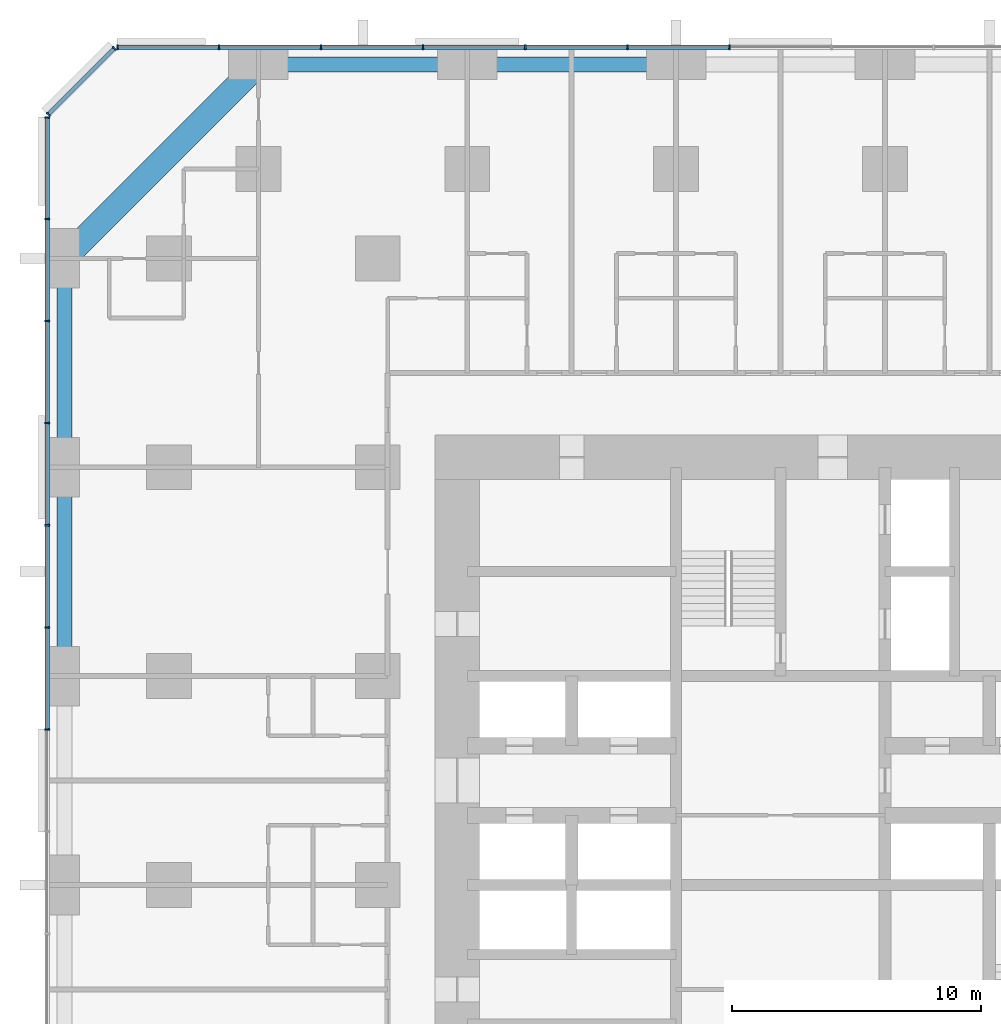
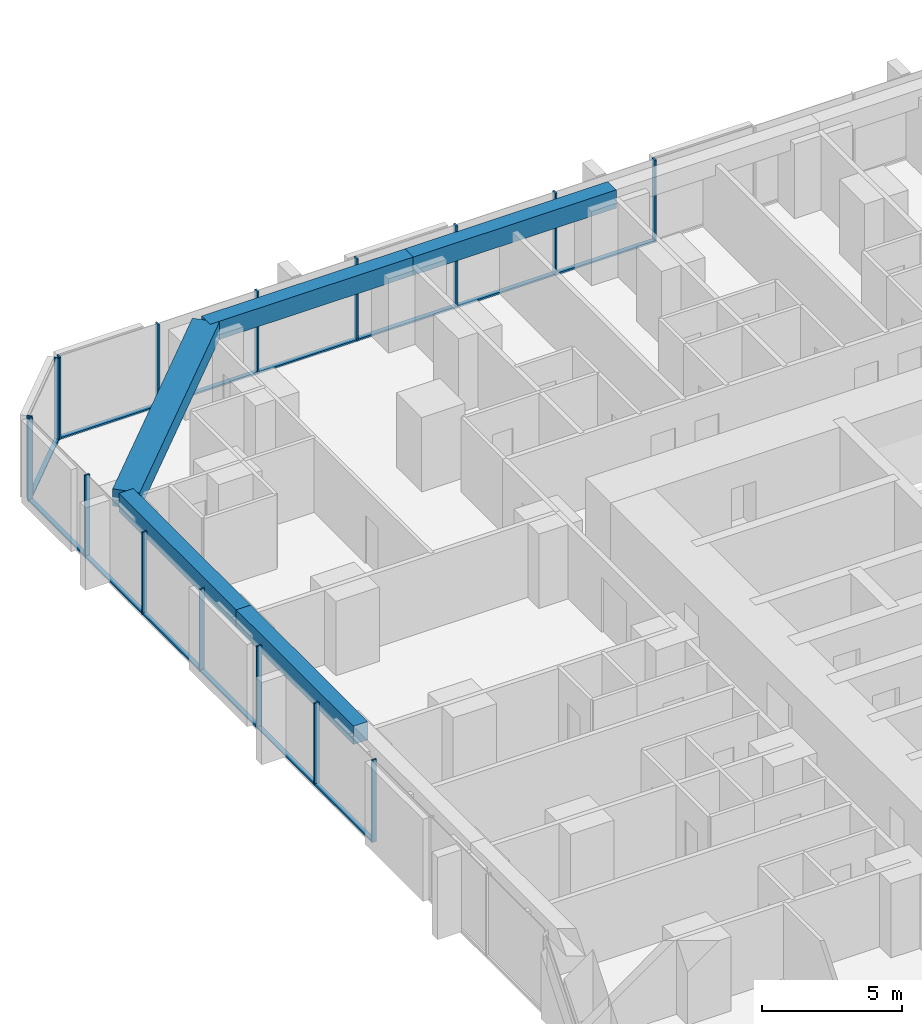
# One storey, part 6 of 18: 29 members, 5 beams, 3 elements without a shape of their own.
"""IFC4 building model written with IfcOpenShell, lengths in metres."""

from ifc_helpers import new_model, si_unit, direction, frame, origin, origin_2d, place, context, subcontext, project, spatial, rectangle, extrude, material, material_profile, profile_set, type_object, element, aggregate, save


model = new_model("IFC4")

# Units and contexts
model_context = context("Model", 3, precision=1e-05, world=origin(), true_north=direction((0.0, 1.0)))
body_context = subcontext(model_context, "Body", "Model", "MODEL_VIEW")
ifc_project = project(units=[si_unit("LENGTHUNIT", "METRE"), si_unit("AREAUNIT", "SQUARE_METRE"), si_unit("VOLUMEUNIT", "CUBIC_METRE"), si_unit("PLANEANGLEUNIT", "RADIAN"), si_unit("MASSUNIT", "GRAM", prefix="KILO")], contexts=[model_context])

# Site, building, storey
site_placement = place(None, origin())
site = spatial("IfcSite", under=ifc_project, at=site_placement, CompositionType="ELEMENT")
building_placement = place(site_placement, origin())
building = spatial("IfcBuilding", under=site, at=building_placement, Name="Dunama Terrace Hotel", CompositionType="ELEMENT")
storey_placement = place(building_placement, frame((0.0, 0.0, 30.60009765625)))
storey = spatial("IfcBuildingStorey", under=building, at=storey_placement, Name="L06", CompositionType="ELEMENT", Elevation=30.60009765625)

# Curtain wall, members
ifc_material_1 = material(Name="Aluminium curtain wall system", Category="aluminium")
curtain_wall_type = type_object("IfcCurtainWallType", Name="Unitised fritted glass wall CW-A", PredefinedType="NOTDEFINED", material=ifc_material_1)
curtain_wall_1_placement = place(storey_placement, origin())
curtain_wall_1 = element("IfcCurtainWall", 1, at=curtain_wall_1_placement, inside=storey, type_object=curtain_wall_type, Name="Unitised fritted glass wall CW-A L06", PredefinedType="NOTDEFINED")
ifc_material_2 = material(Name="Aluminium mullion", Category="aluminium")
ifc_material_profile_1 = material_profile(ifc_material_2, rectangle(XDim=0.06494140625, YDim=0.199951171875, at=origin_2d()), Name="CWA MULLION 65X200")
ifc_profile_set_1 = profile_set([ifc_material_profile_1], Name="Aluminium mullion")
member_type_1 = type_object("IfcMemberType", Name="CWA mullion 65x200", PredefinedType="MULLION", material=ifc_profile_set_1)
member_1_placement = place(storey_placement, frame((27.345947265625, 58.89990234375, 0.0), z_axis=(0.0, 0.0, 1.0), x_axis=(-1.0, 0.0, 0.0)))
member_1 = element("IfcMember", 2, at=member_1_placement, type_object=member_type_1, Name="CWA mullion", PredefinedType="MULLION", context=body_context, shape_type="SweptSolid", body=[
    extrude(rectangle(XDim=0.06494140625, YDim=0.199951171875, at=origin_2d()), origin(), (0.0, 0.0, 1.0), 3.599853515625),
])
member_2_placement = place(storey_placement, frame((23.238037109375, 58.89990234375, 0.0), z_axis=(0.0, 0.0, 1.0), x_axis=(-1.0, 0.0, 0.0)))
member_2 = element("IfcMember", 3, at=member_2_placement, type_object=member_type_1, Name="CWA mullion", PredefinedType="MULLION", context=body_context, shape_type="SweptSolid", body=[
    extrude(rectangle(XDim=0.06494140625, YDim=0.199951171875, at=origin_2d()), origin(), (0.0, 0.0, 1.0), 3.599853515625),
])
member_3_placement = place(storey_placement, frame((19.131103515625, 58.89990234375, 0.0), z_axis=(0.0, 0.0, 1.0), x_axis=(-1.0, 0.0, 0.0)))
member_3 = element("IfcMember", 4, at=member_3_placement, type_object=member_type_1, Name="CWA mullion", PredefinedType="MULLION", context=body_context, shape_type="SweptSolid", body=[
    extrude(rectangle(XDim=0.06494140625, YDim=0.199951171875, at=origin_2d()), origin(), (0.0, 0.0, 1.0), 3.599853515625),
])
member_4_placement = place(storey_placement, frame((15.02294921875, 58.89990234375, 0.0), z_axis=(0.0, 0.0, 1.0), x_axis=(-1.0, 0.0, 0.0)))
member_4 = element("IfcMember", 5, at=member_4_placement, type_object=member_type_1, Name="CWA mullion", PredefinedType="MULLION", context=body_context, shape_type="SweptSolid", body=[
    extrude(rectangle(XDim=0.06494140625, YDim=0.199951171875, at=origin_2d()), origin(), (0.0, 0.0, 1.0), 3.599853515625),
])
member_5_placement = place(storey_placement, frame((10.9150390625, 58.89990234375, 0.0), z_axis=(0.0, 0.0, 1.0), x_axis=(-1.0, 0.0, 0.0)))
member_5 = element("IfcMember", 6, at=member_5_placement, type_object=member_type_1, Name="CWA mullion", PredefinedType="MULLION", context=body_context, shape_type="SweptSolid", body=[
    extrude(rectangle(XDim=0.06494140625, YDim=0.199951171875, at=origin_2d()), origin(), (0.0, 0.0, 1.0), 3.599853515625),
])
member_6_placement = place(storey_placement, frame((6.80810546875, 58.89990234375, 0.0), z_axis=(0.0, 0.0, 1.0), x_axis=(-1.0, 0.0, 0.0)))
member_6 = element("IfcMember", 7, at=member_6_placement, type_object=member_type_1, Name="CWA mullion", PredefinedType="MULLION", context=body_context, shape_type="SweptSolid", body=[
    extrude(rectangle(XDim=0.06494140625, YDim=0.199951171875, at=origin_2d()), origin(), (0.0, 0.0, 1.0), 3.599853515625),
])
member_7_placement = place(storey_placement, frame((2.73291015625, 58.89990234375, 0.0), z_axis=(0.0, 0.0, 1.0), x_axis=(-1.0, 0.0, 0.0)))
member_7 = element("IfcMember", 8, at=member_7_placement, type_object=member_type_1, Name="CWA mullion", PredefinedType="MULLION", context=body_context, shape_type="SweptSolid", body=[
    extrude(rectangle(XDim=0.06494140625, YDim=0.199951171875, at=origin_2d()), origin(), (0.0, 0.0, 1.0), 3.599853515625),
])

curtain_wall_2_placement = place(storey_placement, origin())
curtain_wall_2 = element("IfcCurtainWall", 9, at=curtain_wall_2_placement, inside=storey, type_object=curtain_wall_type, Name="Unitised fritted glass wall CW-A L06", PredefinedType="NOTDEFINED")
member_8_placement = place(storey_placement, frame((2.60595703125, 58.847900390625, 0.0), z_axis=(0.0, 0.0, 1.0), x_axis=(-0.707106781187, -0.707106781187, 0.0)))
member_8 = element("IfcMember", 10, at=member_8_placement, type_object=member_type_1, Name="CWA mullion", PredefinedType="MULLION", context=body_context, shape_type="SweptSolid", body=[
    extrude(rectangle(XDim=0.06494140625, YDim=0.199951171875, at=origin_2d()), origin(), (0.0, 0.0, 1.0), 3.599853515625),
])
member_9_placement = place(storey_placement, frame((-0.048095703125, 56.194091796875, 0.0), z_axis=(0.0, 0.0, 1.0), x_axis=(-0.707106781187, -0.707106781187, 0.0)))
member_9 = element("IfcMember", 11, at=member_9_placement, type_object=member_type_1, Name="CWA mullion", PredefinedType="MULLION", context=body_context, shape_type="SweptSolid", body=[
    extrude(rectangle(XDim=0.06494140625, YDim=0.199951171875, at=origin_2d()), origin(), (0.0, 0.0, 1.0), 3.599853515625),
])

curtain_wall_3_placement = place(storey_placement, origin())
curtain_wall_3 = element("IfcCurtainWall", 12, at=curtain_wall_3_placement, inside=storey, type_object=curtain_wall_type, Name="Unitised fritted glass wall CW-A L06", PredefinedType="NOTDEFINED")
member_10_placement = place(storey_placement, frame((-0.10009765625, 56.06689453125, 0.0), z_axis=(0.0, 0.0, 1.0), x_axis=(0.0, -1.0, 0.0)))
member_10 = element("IfcMember", 13, at=member_10_placement, type_object=member_type_1, Name="CWA mullion", PredefinedType="MULLION", context=body_context, shape_type="SweptSolid", body=[
    extrude(rectangle(XDim=0.06494140625, YDim=0.199951171875, at=origin_2d()), origin(), (0.0, 0.0, 1.0), 3.599853515625),
])
member_11_placement = place(storey_placement, frame((-0.10009765625, 51.991943359375, 0.0), z_axis=(0.0, 0.0, 1.0), x_axis=(0.0, -1.0, 0.0)))
member_11 = element("IfcMember", 14, at=member_11_placement, type_object=member_type_1, Name="CWA mullion", PredefinedType="MULLION", context=body_context, shape_type="SweptSolid", body=[
    extrude(rectangle(XDim=0.06494140625, YDim=0.199951171875, at=origin_2d()), origin(), (0.0, 0.0, 1.0), 3.599853515625),
])
member_12_placement = place(storey_placement, frame((-0.10009765625, 47.885009765625, 0.0), z_axis=(0.0, 0.0, 1.0), x_axis=(0.0, -1.0, 0.0)))
member_12 = element("IfcMember", 15, at=member_12_placement, type_object=member_type_1, Name="CWA mullion", PredefinedType="MULLION", context=body_context, shape_type="SweptSolid", body=[
    extrude(rectangle(XDim=0.06494140625, YDim=0.199951171875, at=origin_2d()), origin(), (0.0, 0.0, 1.0), 3.599853515625),
])
member_13_placement = place(storey_placement, frame((-0.10009765625, 43.777099609375, 0.0), z_axis=(0.0, 0.0, 1.0), x_axis=(0.0, -1.0, 0.0)))
member_13 = element("IfcMember", 16, at=member_13_placement, type_object=member_type_1, Name="CWA mullion", PredefinedType="MULLION", context=body_context, shape_type="SweptSolid", body=[
    extrude(rectangle(XDim=0.06494140625, YDim=0.199951171875, at=origin_2d()), origin(), (0.0, 0.0, 1.0), 3.599853515625),
])
member_14_placement = place(storey_placement, frame((-0.10009765625, 39.6689453125, 0.0), z_axis=(0.0, 0.0, 1.0), x_axis=(0.0, -1.0, 0.0)))
member_14 = element("IfcMember", 17, at=member_14_placement, type_object=member_type_1, Name="CWA mullion", PredefinedType="MULLION", context=body_context, shape_type="SweptSolid", body=[
    extrude(rectangle(XDim=0.06494140625, YDim=0.199951171875, at=origin_2d()), origin(), (0.0, 0.0, 1.0), 3.599853515625),
])
member_15_placement = place(storey_placement, frame((-0.10009765625, 35.56201171875, 0.0), z_axis=(0.0, 0.0, 1.0), x_axis=(0.0, -1.0, 0.0)))
member_15 = element("IfcMember", 18, at=member_15_placement, type_object=member_type_1, Name="CWA mullion", PredefinedType="MULLION", context=body_context, shape_type="SweptSolid", body=[
    extrude(rectangle(XDim=0.06494140625, YDim=0.199951171875, at=origin_2d()), origin(), (0.0, 0.0, 1.0), 3.599853515625),
])
member_16_placement = place(storey_placement, frame((-0.10009765625, 31.4541015625, 0.0), z_axis=(0.0, 0.0, 1.0), x_axis=(0.0, -1.0, 0.0)))
member_16 = element("IfcMember", 19, at=member_16_placement, type_object=member_type_1, Name="CWA mullion", PredefinedType="MULLION", context=body_context, shape_type="SweptSolid", body=[
    extrude(rectangle(XDim=0.06494140625, YDim=0.199951171875, at=origin_2d()), origin(), (0.0, 0.0, 1.0), 3.599853515625),
])

# Member
ifc_material_3 = material(Name="Aluminium transom", Category="aluminium")
ifc_material_profile_2 = material_profile(ifc_material_3, rectangle(XDim=0.179931640625, YDim=0.074951171875, at=origin_2d()), Name="CWA TRANSOM 180X75")
ifc_profile_set_2 = profile_set([ifc_material_profile_2], Name="Aluminium transom")
member_type_2 = type_object("IfcMemberType", Name="CWA transom 180x75", PredefinedType="USERDEFINED", material=ifc_profile_set_2)
member_17_placement = place(storey_placement, frame((27.31396484375, 58.89990234375, 0.037353515625), z_axis=(-1.0, 0.0, 0.0), x_axis=(0.0, -1.0, 0.0)))
member_17 = element("IfcMember", 20, at=member_17_placement, type_object=member_type_2, Name="CWA transom", ObjectType="TRANSOM", PredefinedType="USERDEFINED", context=body_context, shape_type="SweptSolid", body=[
    extrude(rectangle(XDim=0.179931640625, YDim=0.074951171875, at=origin_2d()), origin(), (0.0, 0.0, 1.0), 4.04296875),
])

member_18_placement = place(storey_placement, frame((23.2060546875, 58.89990234375, 0.037353515625), z_axis=(-1.0, 0.0, 0.0), x_axis=(0.0, -1.0, 0.0)))
member_18 = element("IfcMember", 21, at=member_18_placement, type_object=member_type_2, Name="CWA transom", ObjectType="TRANSOM", PredefinedType="USERDEFINED", context=body_context, shape_type="SweptSolid", body=[
    extrude(rectangle(XDim=0.179931640625, YDim=0.074951171875, at=origin_2d()), origin(), (0.0, 0.0, 1.0), 4.04296875),
])

member_19_placement = place(storey_placement, frame((19.097900390625, 58.89990234375, 0.037353515625), z_axis=(-1.0, 0.0, 0.0), x_axis=(0.0, -1.0, 0.0)))
member_19 = element("IfcMember", 22, at=member_19_placement, type_object=member_type_2, Name="CWA transom", ObjectType="TRANSOM", PredefinedType="USERDEFINED", context=body_context, shape_type="SweptSolid", body=[
    extrude(rectangle(XDim=0.179931640625, YDim=0.074951171875, at=origin_2d()), origin(), (0.0, 0.0, 1.0), 4.0419921875),
])

member_20_placement = place(storey_placement, frame((14.990966796875, 58.89990234375, 0.037353515625), z_axis=(-1.0, 0.0, 0.0), x_axis=(0.0, -1.0, 0.0)))
member_20 = element("IfcMember", 23, at=member_20_placement, type_object=member_type_2, Name="CWA transom", ObjectType="TRANSOM", PredefinedType="USERDEFINED", context=body_context, shape_type="SweptSolid", body=[
    extrude(rectangle(XDim=0.179931640625, YDim=0.074951171875, at=origin_2d()), origin(), (0.0, 0.0, 1.0), 4.04296875),
])

member_21_placement = place(storey_placement, frame((10.883056640625, 58.89990234375, 0.037353515625), z_axis=(-1.0, 0.0, 0.0), x_axis=(0.0, -1.0, 0.0)))
member_21 = element("IfcMember", 24, at=member_21_placement, type_object=member_type_2, Name="CWA transom", ObjectType="TRANSOM", PredefinedType="USERDEFINED", context=body_context, shape_type="SweptSolid", body=[
    extrude(rectangle(XDim=0.179931640625, YDim=0.074951171875, at=origin_2d()), origin(), (0.0, 0.0, 1.0), 4.04296875),
])

member_22_placement = place(storey_placement, frame((6.77490234375, 58.89990234375, 0.037353515625), z_axis=(-1.0, 0.0, 0.0), x_axis=(0.0, -1.0, 0.0)))
member_22 = element("IfcMember", 25, at=member_22_placement, type_object=member_type_2, Name="CWA transom", ObjectType="TRANSOM", PredefinedType="USERDEFINED", context=body_context, shape_type="SweptSolid", body=[
    extrude(rectangle(XDim=0.179931640625, YDim=0.074951171875, at=origin_2d()), origin(), (0.0, 0.0, 1.0), 4.010009765625),
])

aggregate(curtain_wall_1, [member_1, member_2, member_3, member_4, member_5, member_6, member_7, member_17, member_18, member_19, member_20, member_21, member_22])

member_23_placement = place(storey_placement, frame((2.5830078125, 58.824951171875, 0.037353515625), z_axis=(-0.707106781187, -0.707106781187, 0.0), x_axis=(0.707106781187, -0.707106781187, 0.0)))
member_23 = element("IfcMember", 26, at=member_23_placement, type_object=member_type_2, Name="CWA transom", ObjectType="TRANSOM", PredefinedType="USERDEFINED", context=body_context, shape_type="SweptSolid", body=[
    extrude(rectangle(XDim=0.179931640625, YDim=0.074951171875, at=origin_2d()), origin(), (0.0, 0.0, 1.0), 3.688232421875),
])

aggregate(curtain_wall_2, [member_8, member_9, member_23])

member_24_placement = place(storey_placement, frame((-0.10009765625, 56.034912109375, 0.037353515625), z_axis=(0.0, -1.0, 0.0), x_axis=(1.0, 0.0, 0.0)))
member_24 = element("IfcMember", 27, at=member_24_placement, type_object=member_type_2, Name="CWA transom", ObjectType="TRANSOM", PredefinedType="USERDEFINED", context=body_context, shape_type="SweptSolid", body=[
    extrude(rectangle(XDim=0.179931640625, YDim=0.074951171875, at=origin_2d()), origin(), (0.0, 0.0, 1.0), 4.010009765625),
])

member_25_placement = place(storey_placement, frame((-0.10009765625, 51.9599609375, 0.037353515625), z_axis=(0.0, -1.0, 0.0), x_axis=(1.0, 0.0, 0.0)))
member_25 = element("IfcMember", 28, at=member_25_placement, type_object=member_type_2, Name="CWA transom", ObjectType="TRANSOM", PredefinedType="USERDEFINED", context=body_context, shape_type="SweptSolid", body=[
    extrude(rectangle(XDim=0.179931640625, YDim=0.074951171875, at=origin_2d()), origin(), (0.0, 0.0, 1.0), 4.04296875),
])

member_26_placement = place(storey_placement, frame((-0.10009765625, 47.85205078125, 0.037353515625), z_axis=(0.0, -1.0, 0.0), x_axis=(1.0, 0.0, 0.0)))
member_26 = element("IfcMember", 29, at=member_26_placement, type_object=member_type_2, Name="CWA transom", ObjectType="TRANSOM", PredefinedType="USERDEFINED", context=body_context, shape_type="SweptSolid", body=[
    extrude(rectangle(XDim=0.179931640625, YDim=0.074951171875, at=origin_2d()), origin(), (0.0, 0.0, 1.0), 4.04296875),
])

member_27_placement = place(storey_placement, frame((-0.10009765625, 43.743896484375, 0.037353515625), z_axis=(0.0, -1.0, 0.0), x_axis=(1.0, 0.0, 0.0)))
member_27 = element("IfcMember", 30, at=member_27_placement, type_object=member_type_2, Name="CWA transom", ObjectType="TRANSOM", PredefinedType="USERDEFINED", context=body_context, shape_type="SweptSolid", body=[
    extrude(rectangle(XDim=0.179931640625, YDim=0.074951171875, at=origin_2d()), origin(), (0.0, 0.0, 1.0), 4.0419921875),
])

member_28_placement = place(storey_placement, frame((-0.10009765625, 39.636962890625, 0.037353515625), z_axis=(0.0, -1.0, 0.0), x_axis=(1.0, 0.0, 0.0)))
member_28 = element("IfcMember", 31, at=member_28_placement, type_object=member_type_2, Name="CWA transom", ObjectType="TRANSOM", PredefinedType="USERDEFINED", context=body_context, shape_type="SweptSolid", body=[
    extrude(rectangle(XDim=0.179931640625, YDim=0.074951171875, at=origin_2d()), origin(), (0.0, 0.0, 1.0), 4.04296875),
])

member_29_placement = place(storey_placement, frame((-0.10009765625, 35.529052734375, 0.037353515625), z_axis=(0.0, -1.0, 0.0), x_axis=(1.0, 0.0, 0.0)))
member_29 = element("IfcMember", 32, at=member_29_placement, type_object=member_type_2, Name="CWA transom", ObjectType="TRANSOM", PredefinedType="USERDEFINED", context=body_context, shape_type="SweptSolid", body=[
    extrude(rectangle(XDim=0.179931640625, YDim=0.074951171875, at=origin_2d()), origin(), (0.0, 0.0, 1.0), 4.04296875),
])

aggregate(curtain_wall_3, [member_10, member_11, member_12, member_13, member_14, member_15, member_16, member_24, member_25, member_26, member_27, member_28, member_29])

# Beams
ifc_material_4 = material(Name="Concrete C50/60", Category="concrete")
ifc_material_profile_3 = material_profile(ifc_material_4, rectangle(XDim=1.0, YDim=0.75, at=origin_2d()), Name="RC 1000x750")
ifc_profile_set_3 = profile_set([ifc_material_profile_3], Name="Concrete C50/60")
beam_type_1 = type_object("IfcBeamType", Name="Edge beam RC 1000x750", PredefinedType="SPANDREL", material=ifc_profile_set_3)
beam_1_placement = place(storey_placement, frame((8.39990234375, 58.199951171875, 3.224853515625), z_axis=(-0.707095714747, -0.707117847453, 0.0), x_axis=(0.707117847453, -0.707095714747, 0.0)))
element("IfcBeam", 33, at=beam_1_placement, inside=storey, type_object=beam_type_1, Name="Corner edge beam under L07", PredefinedType="SPANDREL", context=body_context, shape_type="SweptSolid", body=[
    extrude(rectangle(XDim=1.0, YDim=0.75, at=origin_2d()), origin(), (0.0, 0.0, 1.0), 11.03076171875),
])
ifc_material_5 = material(Name="Concrete C40/50", Category="concrete")
ifc_material_profile_4 = material_profile(ifc_material_5, rectangle(XDim=0.60009765625, YDim=0.800048828125, at=origin_2d()), Name="RC 600x800")
ifc_profile_set_4 = profile_set([ifc_material_profile_4], Name="Concrete C40/50")
beam_type_2 = type_object("IfcBeamType", Name="Edge beam RC 600x800", PredefinedType="SPANDREL", material=ifc_profile_set_4)
for number, where, z_axis, x_axis, name in (
    (34, (0.60009765625, 33.60009765625, 3.199951171875), (0.0, 1.0, 0.0), (-1.0, 0.0, 0.0), "Edge beam under L07"),
    (35, (0.60009765625, 42.0, 3.199951171875), (0.0, 1.0, 0.0), (-1.0, 0.0, 0.0), "Edge beam under L07"),
):
    element("IfcBeam", number, at=place(storey_placement, frame(where, z_axis=z_axis, x_axis=x_axis)), inside=storey, type_object=beam_type_2, Name=name, PredefinedType="SPANDREL", context=body_context, shape_type="SweptSolid", body=[
        extrude(rectangle(XDim=0.60009765625, YDim=0.800048828125, at=origin_2d()), origin(), (0.0, 0.0, 1.0), 8.39990234375),
    ])
beam_2_placement = place(storey_placement, frame((8.39990234375, 58.199951171875, 3.199951171875), z_axis=(1.0, 0.0, 0.0), x_axis=(0.0, 1.0, 0.0)))
element("IfcBeam", 36, at=beam_2_placement, inside=storey, type_object=beam_type_2, Name="Edge beam under L07", PredefinedType="SPANDREL", context=body_context, shape_type="SweptSolid", body=[
    extrude(rectangle(XDim=0.60009765625, YDim=0.800048828125, at=origin_2d()), origin(), (0.0, 0.0, 1.0), 8.400146484375),
])
beam_3_placement = place(storey_placement, frame((16.800048828125, 58.199951171875, 3.199951171875), z_axis=(1.0, 0.0, 0.0), x_axis=(0.0, 1.0, 0.0)))
element("IfcBeam", 37, at=beam_3_placement, inside=storey, type_object=beam_type_2, Name="Edge beam under L07", PredefinedType="SPANDREL", context=body_context, shape_type="SweptSolid", body=[
    extrude(rectangle(XDim=0.60009765625, YDim=0.800048828125, at=origin_2d()), origin(), (0.0, 0.0, 1.0), 8.39990234375),
])

save(model, "model.ifc")
